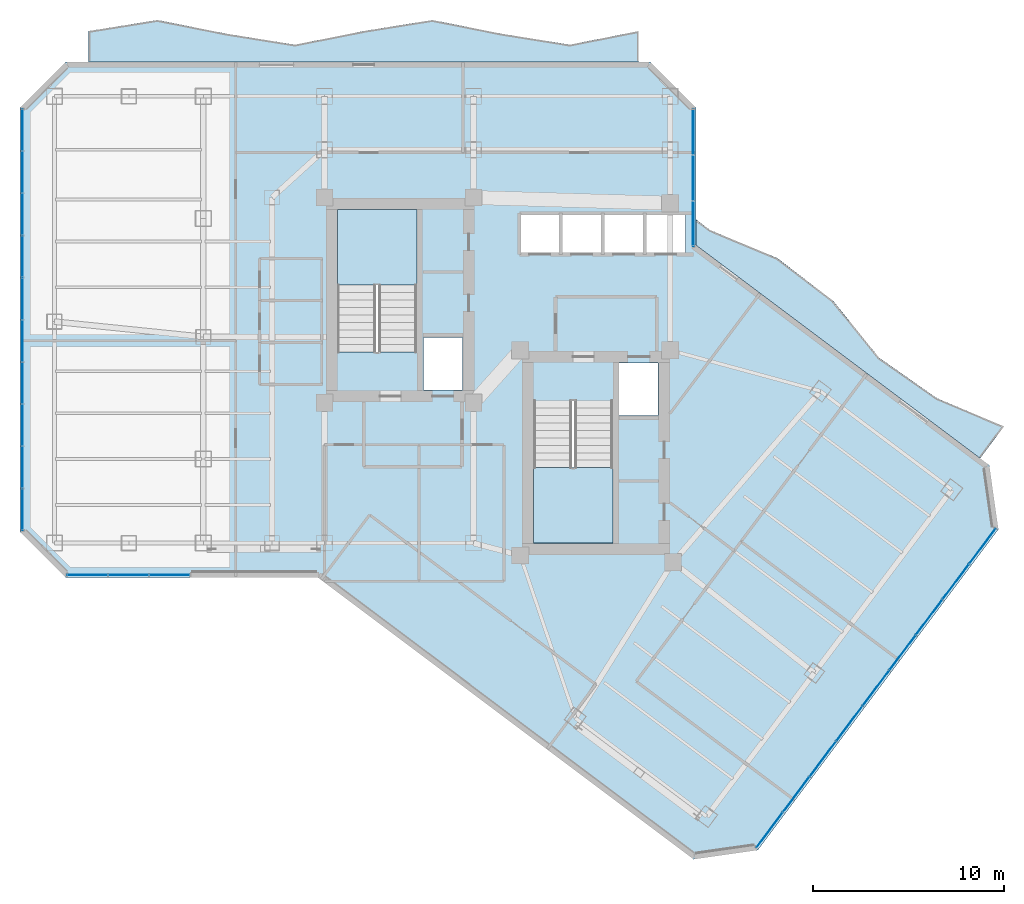
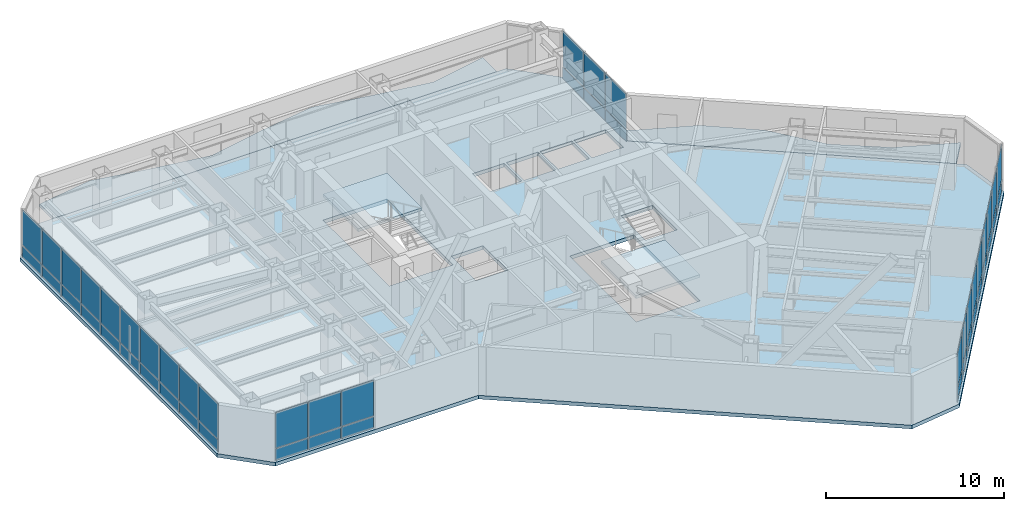
# One storey, part 20 of 27: 50 plates, 5 slabs, 6 elements without a shape of their own.
"""IFC4 building model written with IfcOpenShell, lengths in metres."""

from ifc_helpers import new_model, si_unit, direction, frame, origin, origin_2d, place, context, subcontext, project, spatial, polyline, rectangle, outline, extrude, material, layer, layer_set, type_object, element, aggregate, save


model = new_model("IFC4")

# Units and contexts
model_context = context("Model", 3, precision=1e-05, world=origin(), true_north=direction((0.0, 1.0)))
body_context = subcontext(model_context, "Body", "Model", "MODEL_VIEW")
ifc_project = project(units=[si_unit("LENGTHUNIT", "METRE"), si_unit("AREAUNIT", "SQUARE_METRE"), si_unit("VOLUMEUNIT", "CUBIC_METRE"), si_unit("PLANEANGLEUNIT", "RADIAN"), si_unit("MASSUNIT", "GRAM", prefix="KILO")], contexts=[model_context])

# Site, building, storey
site_placement = place(None, origin())
site = spatial("IfcSite", under=ifc_project, at=site_placement, CompositionType="ELEMENT")
building_placement = place(site_placement, origin())
building = spatial("IfcBuilding", under=site, at=building_placement, Name="Hatsunagi Terrace Concourse", CompositionType="ELEMENT")
storey_placement = place(building_placement, frame((0.0, 0.0, 156.449951171875)))
storey = spatial("IfcBuildingStorey", under=building, at=storey_placement, Name="L41", CompositionType="ELEMENT", Elevation=156.449951171875)

# Curtain wall, plates
ifc_material_1 = material(Name="Anodised Aluminium Alloy 6063-T5", Category="aluminium")
ifc_layer_1 = layer(ifc_material_1, 0.199951171875)
ifc_layer_set_1 = layer_set([ifc_layer_1], Name="OfficeZone1_CW03")
curtain_wall_type = type_object("IfcCurtainWallType", Name="OfficeZone1_CW03", PredefinedType="NOTDEFINED", material=ifc_layer_set_1)
curtain_wall_1_placement = place(storey_placement, origin())
curtain_wall_1 = element("IfcCurtainWall", 1, at=curtain_wall_1_placement, inside=storey, type_object=curtain_wall_type, Name="Unitised Curtain Wall CW-03 CW-L41-03", PredefinedType="NOTDEFINED")
ifc_material_2 = material(Name="Warm Terracotta Ceramic Spandrel Panel", Category="masonry")
ifc_layer_2 = layer(ifc_material_2, 0.031982421875)
ifc_layer_set_2 = layer_set([ifc_layer_2], Name="CurtainWallSpandrelPanel_32")
plate_type_1 = type_object("IfcPlateType", Name="CurtainWallSpandrelPanel_32", PredefinedType="SHEET", material=ifc_layer_set_2)
plate_1_placement = place(storey_placement, frame((59.9970703125, 25.030029296875, 0.030029296875), z_axis=(0.0, 0.0, 1.0), x_axis=(-0.599969314634, -0.800023013105, 0.0)))
plate_1 = element("IfcPlate", 2, at=plate_1_placement, type_object=plate_type_1, Name="Terracotta Spandrel Panel SPN-01", PredefinedType="SHEET", context=body_context, shape_type="SweptSolid", body=[
    extrude(rectangle(XDim=2.264892578125, YDim=0.031982421875, at=origin_2d()), origin(), (0.0, 0.0, 1.0), 0.7900390625),
])
plate_2_placement = place(storey_placement, frame((58.60498046875, 23.173095703125, 0.030029296875), z_axis=(0.0, 0.0, 1.0), x_axis=(-0.599969314634, -0.800023013105, 0.0)))
plate_2 = element("IfcPlate", 3, at=plate_2_placement, type_object=plate_type_1, Name="Terracotta Spandrel Panel SPN-01", PredefinedType="SHEET", context=body_context, shape_type="SweptSolid", body=[
    extrude(rectangle(XDim=2.264892578125, YDim=0.031982421875, at=origin_2d()), origin(), (0.0, 0.0, 1.0), 0.7900390625),
])
plate_3_placement = place(storey_placement, frame((57.2119140625, 21.31689453125, 0.030029296875), z_axis=(0.0, 0.0, 1.0), x_axis=(-0.599969314634, -0.800023013105, 0.0)))
plate_3 = element("IfcPlate", 4, at=plate_3_placement, type_object=plate_type_1, Name="Terracotta Spandrel Panel SPN-01", PredefinedType="SHEET", context=body_context, shape_type="SweptSolid", body=[
    extrude(rectangle(XDim=2.264892578125, YDim=0.031982421875, at=origin_2d()), origin(), (0.0, 0.0, 1.0), 0.7900390625),
])
plate_4_placement = place(storey_placement, frame((55.820068359375, 19.4599609375, 0.030029296875), z_axis=(0.0, 0.0, 1.0), x_axis=(-0.599969314634, -0.800023013105, 0.0)))
plate_4 = element("IfcPlate", 5, at=plate_4_placement, type_object=plate_type_1, Name="Terracotta Spandrel Panel SPN-01", PredefinedType="SHEET", context=body_context, shape_type="SweptSolid", body=[
    extrude(rectangle(XDim=2.264892578125, YDim=0.031982421875, at=origin_2d()), origin(), (0.0, 0.0, 1.0), 0.7900390625),
])
plate_5_placement = place(storey_placement, frame((54.427978515625, 17.60400390625, 0.030029296875), z_axis=(0.0, 0.0, 1.0), x_axis=(-0.599969314634, -0.800023013105, 0.0)))
plate_5 = element("IfcPlate", 6, at=plate_5_placement, type_object=plate_type_1, Name="Terracotta Spandrel Panel SPN-01", PredefinedType="SHEET", context=body_context, shape_type="SweptSolid", body=[
    extrude(rectangle(XDim=2.264892578125, YDim=0.031982421875, at=origin_2d()), origin(), (0.0, 0.0, 1.0), 0.7900390625),
])
plate_6_placement = place(storey_placement, frame((53.035888671875, 15.748046875, 0.030029296875), z_axis=(0.0, 0.0, 1.0), x_axis=(-0.599969314634, -0.800023013105, 0.0)))
plate_6 = element("IfcPlate", 7, at=plate_6_placement, type_object=plate_type_1, Name="Terracotta Spandrel Panel SPN-01", PredefinedType="SHEET", context=body_context, shape_type="SweptSolid", body=[
    extrude(rectangle(XDim=2.264892578125, YDim=0.031982421875, at=origin_2d()), origin(), (0.0, 0.0, 1.0), 0.7900390625),
])
plate_7_placement = place(storey_placement, frame((51.64404296875, 13.89111328125, 0.030029296875), z_axis=(0.0, 0.0, 1.0), x_axis=(-0.599969314634, -0.800023013105, 0.0)))
plate_7 = element("IfcPlate", 8, at=plate_7_placement, type_object=plate_type_1, Name="Terracotta Spandrel Panel SPN-01", PredefinedType="SHEET", context=body_context, shape_type="SweptSolid", body=[
    extrude(rectangle(XDim=2.264892578125, YDim=0.031982421875, at=origin_2d()), origin(), (0.0, 0.0, 1.0), 0.7900390625),
])
plate_8_placement = place(storey_placement, frame((50.2509765625, 12.034912109375, 0.030029296875), z_axis=(0.0, 0.0, 1.0), x_axis=(-0.599969314634, -0.800023013105, 0.0)))
plate_8 = element("IfcPlate", 9, at=plate_8_placement, type_object=plate_type_1, Name="Terracotta Spandrel Panel SPN-01", PredefinedType="SHEET", context=body_context, shape_type="SweptSolid", body=[
    extrude(rectangle(XDim=2.264892578125, YDim=0.031982421875, at=origin_2d()), origin(), (0.0, 0.0, 1.0), 0.7900390625),
])
plate_9_placement = place(storey_placement, frame((48.85888671875, 10.177978515625, 0.030029296875), z_axis=(0.0, 0.0, 1.0), x_axis=(-0.599969314634, -0.800023013105, 0.0)))
plate_9 = element("IfcPlate", 10, at=plate_9_placement, type_object=plate_type_1, Name="Terracotta Spandrel Panel SPN-01", PredefinedType="SHEET", context=body_context, shape_type="SweptSolid", body=[
    extrude(rectangle(XDim=2.264892578125, YDim=0.031982421875, at=origin_2d()), origin(), (0.0, 0.0, 1.0), 0.7900390625),
])

curtain_wall_2_placement = place(storey_placement, origin())
curtain_wall_2 = element("IfcCurtainWall", 11, at=curtain_wall_2_placement, inside=storey, type_object=curtain_wall_type, Name="Unitised Curtain Wall CW-03 CW-L41-07", PredefinedType="NOTDEFINED")
plate_10_placement = place(storey_placement, frame((17.426025390625, 23.5400390625, 0.030029296875), z_axis=(0.0, 0.0, 1.0), x_axis=(-1.0, 0.0, 0.0)))
plate_10 = element("IfcPlate", 12, at=plate_10_placement, type_object=plate_type_1, Name="Terracotta Spandrel Panel SPN-01", PredefinedType="SHEET", context=body_context, shape_type="SweptSolid", body=[
    extrude(rectangle(XDim=2.092041015625, YDim=0.031982421875, at=origin_2d()), origin(), (0.0, 0.0, 1.0), 0.7900390625),
])
plate_11_placement = place(storey_placement, frame((15.279052734375, 23.5400390625, 0.030029296875), z_axis=(0.0, 0.0, 1.0), x_axis=(-1.0, 0.0, 0.0)))
plate_11 = element("IfcPlate", 13, at=plate_11_placement, type_object=plate_type_1, Name="Terracotta Spandrel Panel SPN-01", PredefinedType="SHEET", context=body_context, shape_type="SweptSolid", body=[
    extrude(rectangle(XDim=2.092041015625, YDim=0.031982421875, at=origin_2d()), origin(), (0.0, 0.0, 1.0), 0.7900390625),
])
plate_12_placement = place(storey_placement, frame((13.132080078125, 23.5400390625, 0.030029296875), z_axis=(0.0, 0.0, 1.0), x_axis=(-1.0, 0.0, 0.0)))
plate_12 = element("IfcPlate", 14, at=plate_12_placement, type_object=plate_type_1, Name="Terracotta Spandrel Panel SPN-01", PredefinedType="SHEET", context=body_context, shape_type="SweptSolid", body=[
    extrude(rectangle(XDim=2.092041015625, YDim=0.031982421875, at=origin_2d()), origin(), (0.0, 0.0, 1.0), 0.7900390625),
])

curtain_wall_3_placement = place(storey_placement, origin())
curtain_wall_3 = element("IfcCurtainWall", 15, at=curtain_wall_3_placement, inside=storey, type_object=curtain_wall_type, Name="Unitised Curtain Wall CW-03 CW-L41-09", PredefinedType="NOTDEFINED")
plate_13_placement = place(storey_placement, frame((9.739990234375, 26.9619140625, 0.030029296875), z_axis=(0.0, 0.0, 1.0), x_axis=(0.0, 1.0, 0.0)))
plate_13 = element("IfcPlate", 16, at=plate_13_placement, type_object=plate_type_1, Name="Terracotta Spandrel Panel SPN-01", PredefinedType="SHEET", context=body_context, shape_type="SweptSolid", body=[
    extrude(rectangle(XDim=2.153076171875, YDim=0.031982421875, at=origin_2d()), origin(), (0.0, 0.0, 1.0), 0.7900390625),
])
plate_14_placement = place(storey_placement, frame((9.739990234375, 29.1708984375, 0.030029296875), z_axis=(0.0, 0.0, 1.0), x_axis=(0.0, 1.0, 0.0)))
plate_14 = element("IfcPlate", 17, at=plate_14_placement, type_object=plate_type_1, Name="Terracotta Spandrel Panel SPN-01", PredefinedType="SHEET", context=body_context, shape_type="SweptSolid", body=[
    extrude(rectangle(XDim=2.153076171875, YDim=0.031982421875, at=origin_2d()), origin(), (0.0, 0.0, 1.0), 0.7900390625),
])
plate_15_placement = place(storey_placement, frame((9.739990234375, 31.37890625, 0.030029296875), z_axis=(0.0, 0.0, 1.0), x_axis=(0.0, 1.0, 0.0)))
plate_15 = element("IfcPlate", 18, at=plate_15_placement, type_object=plate_type_1, Name="Terracotta Spandrel Panel SPN-01", PredefinedType="SHEET", context=body_context, shape_type="SweptSolid", body=[
    extrude(rectangle(XDim=2.153076171875, YDim=0.031982421875, at=origin_2d()), origin(), (0.0, 0.0, 1.0), 0.7900390625),
])
plate_16_placement = place(storey_placement, frame((9.739990234375, 33.5869140625, 0.030029296875), z_axis=(0.0, 0.0, 1.0), x_axis=(0.0, 1.0, 0.0)))
plate_16 = element("IfcPlate", 19, at=plate_16_placement, type_object=plate_type_1, Name="Terracotta Spandrel Panel SPN-01", PredefinedType="SHEET", context=body_context, shape_type="SweptSolid", body=[
    extrude(rectangle(XDim=2.153076171875, YDim=0.031982421875, at=origin_2d()), origin(), (0.0, 0.0, 1.0), 0.7900390625),
])
plate_17_placement = place(storey_placement, frame((9.739990234375, 35.7958984375, 0.030029296875), z_axis=(0.0, 0.0, 1.0), x_axis=(0.0, 1.0, 0.0)))
plate_17 = element("IfcPlate", 20, at=plate_17_placement, type_object=plate_type_1, Name="Terracotta Spandrel Panel SPN-01", PredefinedType="SHEET", context=body_context, shape_type="SweptSolid", body=[
    extrude(rectangle(XDim=2.153076171875, YDim=0.031982421875, at=origin_2d()), origin(), (0.0, 0.0, 1.0), 0.7900390625),
])
plate_18_placement = place(storey_placement, frame((9.739990234375, 38.00390625, 0.030029296875), z_axis=(0.0, 0.0, 1.0), x_axis=(0.0, 1.0, 0.0)))
plate_18 = element("IfcPlate", 21, at=plate_18_placement, type_object=plate_type_1, Name="Terracotta Spandrel Panel SPN-01", PredefinedType="SHEET", context=body_context, shape_type="SweptSolid", body=[
    extrude(rectangle(XDim=2.153076171875, YDim=0.031982421875, at=origin_2d()), origin(), (0.0, 0.0, 1.0), 0.7900390625),
])
plate_19_placement = place(storey_placement, frame((9.739990234375, 40.212890625, 0.030029296875), z_axis=(0.0, 0.0, 1.0), x_axis=(0.0, 1.0, 0.0)))
plate_19 = element("IfcPlate", 22, at=plate_19_placement, type_object=plate_type_1, Name="Terracotta Spandrel Panel SPN-01", PredefinedType="SHEET", context=body_context, shape_type="SweptSolid", body=[
    extrude(rectangle(XDim=2.153076171875, YDim=0.031982421875, at=origin_2d()), origin(), (0.0, 0.0, 1.0), 0.7900390625),
])
plate_20_placement = place(storey_placement, frame((9.739990234375, 42.4208984375, 0.030029296875), z_axis=(0.0, 0.0, 1.0), x_axis=(0.0, 1.0, 0.0)))
plate_20 = element("IfcPlate", 23, at=plate_20_placement, type_object=plate_type_1, Name="Terracotta Spandrel Panel SPN-01", PredefinedType="SHEET", context=body_context, shape_type="SweptSolid", body=[
    extrude(rectangle(XDim=2.153076171875, YDim=0.031982421875, at=origin_2d()), origin(), (0.0, 0.0, 1.0), 0.7900390625),
])
plate_21_placement = place(storey_placement, frame((9.739990234375, 44.62890625, 0.030029296875), z_axis=(0.0, 0.0, 1.0), x_axis=(0.0, 1.0, 0.0)))
plate_21 = element("IfcPlate", 24, at=plate_21_placement, type_object=plate_type_1, Name="Terracotta Spandrel Panel SPN-01", PredefinedType="SHEET", context=body_context, shape_type="SweptSolid", body=[
    extrude(rectangle(XDim=2.153076171875, YDim=0.031982421875, at=origin_2d()), origin(), (0.0, 0.0, 1.0), 0.7900390625),
])
plate_22_placement = place(storey_placement, frame((9.739990234375, 46.837890625, 0.030029296875), z_axis=(0.0, 0.0, 1.0), x_axis=(0.0, 1.0, 0.0)))
plate_22 = element("IfcPlate", 25, at=plate_22_placement, type_object=plate_type_1, Name="Terracotta Spandrel Panel SPN-01", PredefinedType="SHEET", context=body_context, shape_type="SweptSolid", body=[
    extrude(rectangle(XDim=2.153076171875, YDim=0.031982421875, at=origin_2d()), origin(), (0.0, 0.0, 1.0), 0.7900390625),
])

curtain_wall_4_placement = place(storey_placement, origin())
curtain_wall_4 = element("IfcCurtainWall", 26, at=curtain_wall_4_placement, inside=storey, type_object=curtain_wall_type, Name="Unitised Curtain Wall CW-03 CW-L41-13", PredefinedType="NOTDEFINED")
plate_23_placement = place(storey_placement, frame((44.860107421875, 46.739990234375, 0.030029296875), z_axis=(0.0, 0.0, 1.0), x_axis=(0.0, -1.0, 0.0)))
plate_23 = element("IfcPlate", 27, at=plate_23_placement, type_object=plate_type_1, Name="Terracotta Spandrel Panel SPN-01", PredefinedType="SHEET", context=body_context, shape_type="SweptSolid", body=[
    extrude(rectangle(XDim=2.34912109375, YDim=0.031982421875, at=origin_2d()), origin(), (0.0, 0.0, 1.0), 0.7900390625),
])
plate_24_placement = place(storey_placement, frame((44.860107421875, 44.3359375, 0.030029296875), z_axis=(0.0, 0.0, 1.0), x_axis=(0.0, -1.0, 0.0)))
plate_24 = element("IfcPlate", 28, at=plate_24_placement, type_object=plate_type_1, Name="Terracotta Spandrel Panel SPN-01", PredefinedType="SHEET", context=body_context, shape_type="SweptSolid", body=[
    extrude(rectangle(XDim=2.34912109375, YDim=0.031982421875, at=origin_2d()), origin(), (0.0, 0.0, 1.0), 0.7900390625),
])
plate_25_placement = place(storey_placement, frame((44.860107421875, 41.931884765625, 0.030029296875), z_axis=(0.0, 0.0, 1.0), x_axis=(0.0, -1.0, 0.0)))
plate_25 = element("IfcPlate", 29, at=plate_25_placement, type_object=plate_type_1, Name="Terracotta Spandrel Panel SPN-01", PredefinedType="SHEET", context=body_context, shape_type="SweptSolid", body=[
    extrude(rectangle(XDim=2.34912109375, YDim=0.031982421875, at=origin_2d()), origin(), (0.0, 0.0, 1.0), 0.7900390625),
])

# Plate
ifc_material_3 = material(Name="Low-E Double Insulating Glass 28mm", Category="glass")
ifc_layer_3 = layer(ifc_material_3, 0.028076171875)
ifc_layer_set_3 = layer_set([ifc_layer_3], Name="CurtainWallVisionGlass_28")
plate_type_2 = type_object("IfcPlateType", Name="CurtainWallVisionGlass_28", PredefinedType="CURTAIN_PANEL", material=ifc_layer_set_3)
plate_26_placement = place(storey_placement, frame((59.9970703125, 25.030029296875, 0.880126953125), z_axis=(0.0, 0.0, 1.0), x_axis=(-0.599969314634, -0.800023013105, 0.0)))
plate_26 = element("IfcPlate", 30, at=plate_26_placement, type_object=plate_type_2, Name="Low-E Vision Glass Panel GLZ-01", PredefinedType="CURTAIN_PANEL", context=body_context, shape_type="SweptSolid", body=[
    extrude(rectangle(XDim=2.264892578125, YDim=0.028076171875, at=origin_2d()), origin(), (0.0, 0.0, 1.0), 2.43994140625),
])

plate_27_placement = place(storey_placement, frame((58.60498046875, 23.173095703125, 0.880126953125), z_axis=(0.0, 0.0, 1.0), x_axis=(-0.599969314634, -0.800023013105, 0.0)))
plate_27 = element("IfcPlate", 31, at=plate_27_placement, type_object=plate_type_2, Name="Low-E Vision Glass Panel GLZ-01", PredefinedType="CURTAIN_PANEL", context=body_context, shape_type="SweptSolid", body=[
    extrude(rectangle(XDim=2.264892578125, YDim=0.028076171875, at=origin_2d()), origin(), (0.0, 0.0, 1.0), 2.43994140625),
])

plate_28_placement = place(storey_placement, frame((57.2119140625, 21.31689453125, 0.880126953125), z_axis=(0.0, 0.0, 1.0), x_axis=(-0.599969314634, -0.800023013105, 0.0)))
plate_28 = element("IfcPlate", 32, at=plate_28_placement, type_object=plate_type_2, Name="Low-E Vision Glass Panel GLZ-01", PredefinedType="CURTAIN_PANEL", context=body_context, shape_type="SweptSolid", body=[
    extrude(rectangle(XDim=2.264892578125, YDim=0.028076171875, at=origin_2d()), origin(), (0.0, 0.0, 1.0), 2.43994140625),
])

plate_29_placement = place(storey_placement, frame((55.820068359375, 19.4599609375, 0.880126953125), z_axis=(0.0, 0.0, 1.0), x_axis=(-0.599969314634, -0.800023013105, 0.0)))
plate_29 = element("IfcPlate", 33, at=plate_29_placement, type_object=plate_type_2, Name="Low-E Vision Glass Panel GLZ-01", PredefinedType="CURTAIN_PANEL", context=body_context, shape_type="SweptSolid", body=[
    extrude(rectangle(XDim=2.264892578125, YDim=0.028076171875, at=origin_2d()), origin(), (0.0, 0.0, 1.0), 2.43994140625),
])

plate_30_placement = place(storey_placement, frame((54.427978515625, 17.60400390625, 0.880126953125), z_axis=(0.0, 0.0, 1.0), x_axis=(-0.599969314634, -0.800023013105, 0.0)))
plate_30 = element("IfcPlate", 34, at=plate_30_placement, type_object=plate_type_2, Name="Low-E Vision Glass Panel GLZ-01", PredefinedType="CURTAIN_PANEL", context=body_context, shape_type="SweptSolid", body=[
    extrude(rectangle(XDim=2.264892578125, YDim=0.028076171875, at=origin_2d()), origin(), (0.0, 0.0, 1.0), 2.43994140625),
])

plate_31_placement = place(storey_placement, frame((53.035888671875, 15.748046875, 0.880126953125), z_axis=(0.0, 0.0, 1.0), x_axis=(-0.599969314634, -0.800023013105, 0.0)))
plate_31 = element("IfcPlate", 35, at=plate_31_placement, type_object=plate_type_2, Name="Low-E Vision Glass Panel GLZ-01", PredefinedType="CURTAIN_PANEL", context=body_context, shape_type="SweptSolid", body=[
    extrude(rectangle(XDim=2.264892578125, YDim=0.028076171875, at=origin_2d()), origin(), (0.0, 0.0, 1.0), 2.43994140625),
])

plate_32_placement = place(storey_placement, frame((51.64404296875, 13.89111328125, 0.880126953125), z_axis=(0.0, 0.0, 1.0), x_axis=(-0.599969314634, -0.800023013105, 0.0)))
plate_32 = element("IfcPlate", 36, at=plate_32_placement, type_object=plate_type_2, Name="Low-E Vision Glass Panel GLZ-01", PredefinedType="CURTAIN_PANEL", context=body_context, shape_type="SweptSolid", body=[
    extrude(rectangle(XDim=2.264892578125, YDim=0.028076171875, at=origin_2d()), origin(), (0.0, 0.0, 1.0), 2.43994140625),
])

plate_33_placement = place(storey_placement, frame((50.2509765625, 12.034912109375, 0.880126953125), z_axis=(0.0, 0.0, 1.0), x_axis=(-0.599969314634, -0.800023013105, 0.0)))
plate_33 = element("IfcPlate", 37, at=plate_33_placement, type_object=plate_type_2, Name="Low-E Vision Glass Panel GLZ-01", PredefinedType="CURTAIN_PANEL", context=body_context, shape_type="SweptSolid", body=[
    extrude(rectangle(XDim=2.264892578125, YDim=0.028076171875, at=origin_2d()), origin(), (0.0, 0.0, 1.0), 2.43994140625),
])

plate_34_placement = place(storey_placement, frame((48.85888671875, 10.177978515625, 0.880126953125), z_axis=(0.0, 0.0, 1.0), x_axis=(-0.599969314634, -0.800023013105, 0.0)))
plate_34 = element("IfcPlate", 38, at=plate_34_placement, type_object=plate_type_2, Name="Low-E Vision Glass Panel GLZ-01", PredefinedType="CURTAIN_PANEL", context=body_context, shape_type="SweptSolid", body=[
    extrude(rectangle(XDim=2.264892578125, YDim=0.028076171875, at=origin_2d()), origin(), (0.0, 0.0, 1.0), 2.43994140625),
])

aggregate(curtain_wall_1, [plate_1, plate_26, plate_2, plate_27, plate_3, plate_28, plate_4, plate_29, plate_5, plate_30, plate_6, plate_31, plate_7, plate_32, plate_8, plate_33, plate_9, plate_34])

plate_35_placement = place(storey_placement, frame((17.426025390625, 23.5400390625, 0.880126953125), z_axis=(0.0, 0.0, 1.0), x_axis=(-1.0, 0.0, 0.0)))
plate_35 = element("IfcPlate", 39, at=plate_35_placement, type_object=plate_type_2, Name="Low-E Vision Glass Panel GLZ-01", PredefinedType="CURTAIN_PANEL", context=body_context, shape_type="SweptSolid", body=[
    extrude(rectangle(XDim=2.092041015625, YDim=0.028076171875, at=origin_2d()), origin(), (0.0, 0.0, 1.0), 2.43994140625),
])

plate_36_placement = place(storey_placement, frame((15.279052734375, 23.5400390625, 0.880126953125), z_axis=(0.0, 0.0, 1.0), x_axis=(-1.0, 0.0, 0.0)))
plate_36 = element("IfcPlate", 40, at=plate_36_placement, type_object=plate_type_2, Name="Low-E Vision Glass Panel GLZ-01", PredefinedType="CURTAIN_PANEL", context=body_context, shape_type="SweptSolid", body=[
    extrude(rectangle(XDim=2.092041015625, YDim=0.028076171875, at=origin_2d()), origin(), (0.0, 0.0, 1.0), 2.43994140625),
])

plate_37_placement = place(storey_placement, frame((13.132080078125, 23.5400390625, 0.880126953125), z_axis=(0.0, 0.0, 1.0), x_axis=(-1.0, 0.0, 0.0)))
plate_37 = element("IfcPlate", 41, at=plate_37_placement, type_object=plate_type_2, Name="Low-E Vision Glass Panel GLZ-01", PredefinedType="CURTAIN_PANEL", context=body_context, shape_type="SweptSolid", body=[
    extrude(rectangle(XDim=2.092041015625, YDim=0.028076171875, at=origin_2d()), origin(), (0.0, 0.0, 1.0), 2.43994140625),
])

aggregate(curtain_wall_2, [plate_10, plate_35, plate_11, plate_36, plate_12, plate_37])

plate_38_placement = place(storey_placement, frame((9.739990234375, 26.9619140625, 0.880126953125), z_axis=(0.0, 0.0, 1.0), x_axis=(0.0, 1.0, 0.0)))
plate_38 = element("IfcPlate", 42, at=plate_38_placement, type_object=plate_type_2, Name="Low-E Vision Glass Panel GLZ-01", PredefinedType="CURTAIN_PANEL", context=body_context, shape_type="SweptSolid", body=[
    extrude(rectangle(XDim=2.153076171875, YDim=0.028076171875, at=origin_2d()), origin(), (0.0, 0.0, 1.0), 2.43994140625),
])

plate_39_placement = place(storey_placement, frame((9.739990234375, 29.1708984375, 0.880126953125), z_axis=(0.0, 0.0, 1.0), x_axis=(0.0, 1.0, 0.0)))
plate_39 = element("IfcPlate", 43, at=plate_39_placement, type_object=plate_type_2, Name="Low-E Vision Glass Panel GLZ-01", PredefinedType="CURTAIN_PANEL", context=body_context, shape_type="SweptSolid", body=[
    extrude(rectangle(XDim=2.153076171875, YDim=0.028076171875, at=origin_2d()), origin(), (0.0, 0.0, 1.0), 2.43994140625),
])

plate_40_placement = place(storey_placement, frame((9.739990234375, 31.37890625, 0.880126953125), z_axis=(0.0, 0.0, 1.0), x_axis=(0.0, 1.0, 0.0)))
plate_40 = element("IfcPlate", 44, at=plate_40_placement, type_object=plate_type_2, Name="Low-E Vision Glass Panel GLZ-01", PredefinedType="CURTAIN_PANEL", context=body_context, shape_type="SweptSolid", body=[
    extrude(rectangle(XDim=2.153076171875, YDim=0.028076171875, at=origin_2d()), origin(), (0.0, 0.0, 1.0), 2.43994140625),
])

plate_41_placement = place(storey_placement, frame((9.739990234375, 33.5869140625, 0.880126953125), z_axis=(0.0, 0.0, 1.0), x_axis=(0.0, 1.0, 0.0)))
plate_41 = element("IfcPlate", 45, at=plate_41_placement, type_object=plate_type_2, Name="Low-E Vision Glass Panel GLZ-01", PredefinedType="CURTAIN_PANEL", context=body_context, shape_type="SweptSolid", body=[
    extrude(rectangle(XDim=2.153076171875, YDim=0.028076171875, at=origin_2d()), origin(), (0.0, 0.0, 1.0), 2.43994140625),
])

plate_42_placement = place(storey_placement, frame((9.739990234375, 35.7958984375, 0.880126953125), z_axis=(0.0, 0.0, 1.0), x_axis=(0.0, 1.0, 0.0)))
plate_42 = element("IfcPlate", 46, at=plate_42_placement, type_object=plate_type_2, Name="Low-E Vision Glass Panel GLZ-01", PredefinedType="CURTAIN_PANEL", context=body_context, shape_type="SweptSolid", body=[
    extrude(rectangle(XDim=2.153076171875, YDim=0.028076171875, at=origin_2d()), origin(), (0.0, 0.0, 1.0), 2.43994140625),
])

plate_43_placement = place(storey_placement, frame((9.739990234375, 38.00390625, 0.880126953125), z_axis=(0.0, 0.0, 1.0), x_axis=(0.0, 1.0, 0.0)))
plate_43 = element("IfcPlate", 47, at=plate_43_placement, type_object=plate_type_2, Name="Low-E Vision Glass Panel GLZ-01", PredefinedType="CURTAIN_PANEL", context=body_context, shape_type="SweptSolid", body=[
    extrude(rectangle(XDim=2.153076171875, YDim=0.028076171875, at=origin_2d()), origin(), (0.0, 0.0, 1.0), 2.43994140625),
])

plate_44_placement = place(storey_placement, frame((9.739990234375, 40.212890625, 0.880126953125), z_axis=(0.0, 0.0, 1.0), x_axis=(0.0, 1.0, 0.0)))
plate_44 = element("IfcPlate", 48, at=plate_44_placement, type_object=plate_type_2, Name="Low-E Vision Glass Panel GLZ-01", PredefinedType="CURTAIN_PANEL", context=body_context, shape_type="SweptSolid", body=[
    extrude(rectangle(XDim=2.153076171875, YDim=0.028076171875, at=origin_2d()), origin(), (0.0, 0.0, 1.0), 2.43994140625),
])

plate_45_placement = place(storey_placement, frame((9.739990234375, 42.4208984375, 0.880126953125), z_axis=(0.0, 0.0, 1.0), x_axis=(0.0, 1.0, 0.0)))
plate_45 = element("IfcPlate", 49, at=plate_45_placement, type_object=plate_type_2, Name="Low-E Vision Glass Panel GLZ-01", PredefinedType="CURTAIN_PANEL", context=body_context, shape_type="SweptSolid", body=[
    extrude(rectangle(XDim=2.153076171875, YDim=0.028076171875, at=origin_2d()), origin(), (0.0, 0.0, 1.0), 2.43994140625),
])

plate_46_placement = place(storey_placement, frame((9.739990234375, 44.62890625, 0.880126953125), z_axis=(0.0, 0.0, 1.0), x_axis=(0.0, 1.0, 0.0)))
plate_46 = element("IfcPlate", 50, at=plate_46_placement, type_object=plate_type_2, Name="Low-E Vision Glass Panel GLZ-01", PredefinedType="CURTAIN_PANEL", context=body_context, shape_type="SweptSolid", body=[
    extrude(rectangle(XDim=2.153076171875, YDim=0.028076171875, at=origin_2d()), origin(), (0.0, 0.0, 1.0), 2.43994140625),
])

plate_47_placement = place(storey_placement, frame((9.739990234375, 46.837890625, 0.880126953125), z_axis=(0.0, 0.0, 1.0), x_axis=(0.0, 1.0, 0.0)))
plate_47 = element("IfcPlate", 51, at=plate_47_placement, type_object=plate_type_2, Name="Low-E Vision Glass Panel GLZ-01", PredefinedType="CURTAIN_PANEL", context=body_context, shape_type="SweptSolid", body=[
    extrude(rectangle(XDim=2.153076171875, YDim=0.028076171875, at=origin_2d()), origin(), (0.0, 0.0, 1.0), 2.43994140625),
])

aggregate(curtain_wall_3, [plate_13, plate_38, plate_14, plate_39, plate_15, plate_40, plate_16, plate_41, plate_17, plate_42, plate_18, plate_43, plate_19, plate_44, plate_20, plate_45, plate_21, plate_46, plate_22, plate_47])

plate_48_placement = place(storey_placement, frame((44.860107421875, 46.739990234375, 0.880126953125), z_axis=(0.0, 0.0, 1.0), x_axis=(0.0, -1.0, 0.0)))
plate_48 = element("IfcPlate", 52, at=plate_48_placement, type_object=plate_type_2, Name="Low-E Vision Glass Panel GLZ-01", PredefinedType="CURTAIN_PANEL", context=body_context, shape_type="SweptSolid", body=[
    extrude(rectangle(XDim=2.34912109375, YDim=0.028076171875, at=origin_2d()), origin(), (0.0, 0.0, 1.0), 2.43994140625),
])

plate_49_placement = place(storey_placement, frame((44.860107421875, 44.3359375, 0.880126953125), z_axis=(0.0, 0.0, 1.0), x_axis=(0.0, -1.0, 0.0)))
plate_49 = element("IfcPlate", 53, at=plate_49_placement, type_object=plate_type_2, Name="Low-E Vision Glass Panel GLZ-01", PredefinedType="CURTAIN_PANEL", context=body_context, shape_type="SweptSolid", body=[
    extrude(rectangle(XDim=2.34912109375, YDim=0.028076171875, at=origin_2d()), origin(), (0.0, 0.0, 1.0), 2.43994140625),
])

plate_50_placement = place(storey_placement, frame((44.860107421875, 41.931884765625, 0.880126953125), z_axis=(0.0, 0.0, 1.0), x_axis=(0.0, -1.0, 0.0)))
plate_50 = element("IfcPlate", 54, at=plate_50_placement, type_object=plate_type_2, Name="Low-E Vision Glass Panel GLZ-01", PredefinedType="CURTAIN_PANEL", context=body_context, shape_type="SweptSolid", body=[
    extrude(rectangle(XDim=2.34912109375, YDim=0.028076171875, at=origin_2d()), origin(), (0.0, 0.0, 1.0), 2.43994140625),
])

aggregate(curtain_wall_4, [plate_23, plate_48, plate_24, plate_49, plate_25, plate_50])

# Stair, slab
ifc_material_4 = material(Name="Concrete Fc42", Category="concrete")
stair_type = type_object("IfcStairType", Name="DoglegExitStair_Tower2000_20R_180", PredefinedType="HALF_TURN_STAIR", material=ifc_material_4)
stair_1_placement = place(storey_placement, origin())
stair_1 = element("IfcStair", 55, at=stair_1_placement, inside=storey, type_object=stair_type, Name="L41 Core A Protected Exit Stair ST-A", PredefinedType="HALF_TURN_STAIR")
ifc_material_5 = material(Name="Concrete Fc42", Category="concrete")
ifc_layer_4 = layer(ifc_material_5, 0.199951171875)
ifc_layer_set_4 = layer_set([ifc_layer_4], Name="DoglegStairLanding_Tower2000")
slab_type_1 = type_object("IfcSlabType", Name="DoglegStairLanding_Tower2000", PredefinedType="LANDING", material=ifc_layer_set_4)
slab_1_placement = place(storey_placement, frame((0.0, 0.0, 1.60009765625)))
slab_1 = element("IfcSlab", 56, at=slab_1_placement, type_object=slab_type_1, Name="ST-A landing 1", PredefinedType="LANDING", context=body_context, shape_type="SweptSolid", body=[
    extrude(outline(polyline([(30.3798828125, 38.7099609375), (30.3798828125, 42.659912109375), (26.22998046875, 42.659912109375), (26.22998046875, 38.7099609375), (30.3798828125, 38.7099609375)])), origin(), (0.0, 0.0, 1.0), 0.199951171875),
])
aggregate(stair_1, [slab_1])

stair_2_placement = place(storey_placement, origin())
stair_2 = element("IfcStair", 57, at=stair_2_placement, inside=storey, type_object=stair_type, Name="L41 Core B Protected Exit Stair ST-B", PredefinedType="HALF_TURN_STAIR")
slab_2_placement = place(storey_placement, frame((0.0, 0.0, 1.60009765625)))
slab_2 = element("IfcSlab", 58, at=slab_2_placement, type_object=slab_type_1, Name="ST-B landing 1", PredefinedType="LANDING", context=body_context, shape_type="SweptSolid", body=[
    extrude(outline(polyline([(36.5, 29.14990234375), (36.5, 25.199951171875), (40.64990234375, 25.199951171875), (40.64990234375, 29.14990234375), (36.5, 29.14990234375)])), origin(), (0.0, 0.0, 1.0), 0.199951171875),
])
aggregate(stair_2, [slab_2])

# Slabs
ifc_material_6 = material(Name="Concrete Fc42", Category="concrete")
ifc_layer_5 = layer(ifc_material_6, 0.199951171875)
ifc_layer_set_5 = layer_set([ifc_layer_5], Name="EngawaBalconySlab_Fc42_200")
slab_type_2 = type_object("IfcSlabType", Name="EngawaBalconySlab_Fc42_200", PredefinedType="FLOOR", material=ifc_layer_set_5)
slab_3_placement = place(storey_placement, frame((0.0, 0.0, -0.199951171875)))
element("IfcSlab", 59, at=slab_3_placement, inside=storey, type_object=slab_type_2, Name="Engawa Balcony Slab BAL-L41-BN", PredefinedType="FLOOR", context=body_context, shape_type="SweptSolid", body=[
    extrude(outline(polyline([(13.199951171875, 52.01806640625), (13.199951171875, 50.39990234375), (42.0, 50.39990234375), (42.0, 52.01806640625), (38.39990234375, 51.303955078125), (34.800048828125, 51.882080078125), (31.199951171875, 52.595947265625), (27.60009765625, 52.01806640625), (24.0, 51.303955078125), (20.39990234375, 51.882080078125), (16.800048828125, 52.595947265625), (13.199951171875, 52.01806640625)])), origin(), (0.0, 0.0, 1.0), 0.199951171875),
])
slab_4_placement = place(storey_placement, frame((0.0, 0.0, -0.199951171875)))
element("IfcSlab", 60, at=slab_4_placement, inside=storey, type_object=slab_type_2, Name="Engawa Balcony Slab BAL-L41-BSE", PredefinedType="FLOOR", context=body_context, shape_type="SweptSolid", body=[
    extrude(outline(polyline([(45.72705078125, 41.60302734375), (44.99609375, 42.1650390625), (44.99609375, 40.802978515625), (59.8798828125, 29.639892578125), (61.133056640625, 31.31103515625), (57.617919921875, 32.791015625), (54.5869140625, 34.916015625), (52.18798828125, 37.885009765625), (49.2509765625, 40.134033203125), (45.72705078125, 41.60302734375)])), origin(), (0.0, 0.0, 1.0), 0.199951171875),
])
ifc_material_7 = material(Name="Concrete Fc42", Category="concrete")
ifc_layer_6 = layer(ifc_material_7, 0.25)
ifc_layer_set_6 = layer_set([ifc_layer_6], Name="OfficeCrownSlab_Fc42_250")
slab_type_3 = type_object("IfcSlabType", Name="OfficeCrownSlab_Fc42_250", PredefinedType="FLOOR", material=ifc_layer_set_6)
slab_5_placement = place(storey_placement, frame((0.0, 0.0, -0.25)))
element("IfcSlab", 61, at=slab_5_placement, inside=storey, type_object=slab_type_3, Name="Floor Slab SL-250 L41", PredefinedType="FLOOR", context=body_context, shape_type="SweptSolid", body=[
    extrude(outline(polyline([(45.0, 40.800048828125), (45.0, 48.0), (42.60009765625, 50.39990234375), (12.0, 50.39990234375), (9.60009765625, 48.0), (9.60009765625, 25.800048828125), (12.0, 23.39990234375), (25.199951171875, 23.39990234375), (44.8798828125, 8.639892578125), (48.239990234375, 9.1201171875), (60.840087890625, 25.919921875), (60.360107421875, 29.280029296875), (45.0, 40.800048828125)]), holes=[polyline([(26.22998046875, 35.205078125), (30.3798828125, 35.205078125), (30.3798828125, 42.659912109375), (26.22998046875, 42.659912109375), (26.22998046875, 35.205078125)]), polyline([(36.5, 25.199951171875), (40.64990234375, 25.199951171875), (40.64990234375, 32.655029296875), (36.5, 32.655029296875), (36.5, 25.199951171875)]), polyline([(30.719970703125, 33.219970703125), (32.780029296875, 33.219970703125), (32.780029296875, 35.97998046875), (30.719970703125, 35.97998046875), (30.719970703125, 33.219970703125)]), polyline([(40.97998046875, 31.8798828125), (43.02001953125, 31.8798828125), (43.02001953125, 34.639892578125), (40.97998046875, 34.639892578125), (40.97998046875, 31.8798828125)]), polyline([(35.800048828125, 40.39990234375), (37.85009765625, 40.39990234375), (37.85009765625, 42.39990234375), (35.800048828125, 42.39990234375), (35.800048828125, 40.39990234375)]), polyline([(38.0, 40.39990234375), (40.050048828125, 40.39990234375), (40.050048828125, 42.39990234375), (38.0, 42.39990234375), (38.0, 40.39990234375)]), polyline([(40.199951171875, 40.39990234375), (42.25, 40.39990234375), (42.25, 42.39990234375), (40.199951171875, 42.39990234375), (40.199951171875, 40.39990234375)]), polyline([(42.39990234375, 40.39990234375), (44.449951171875, 40.39990234375), (44.449951171875, 42.39990234375), (42.39990234375, 42.39990234375), (42.39990234375, 40.39990234375)])]), origin(), (0.0, 0.0, 1.0), 0.25),
])

save(model, "model.ifc")
